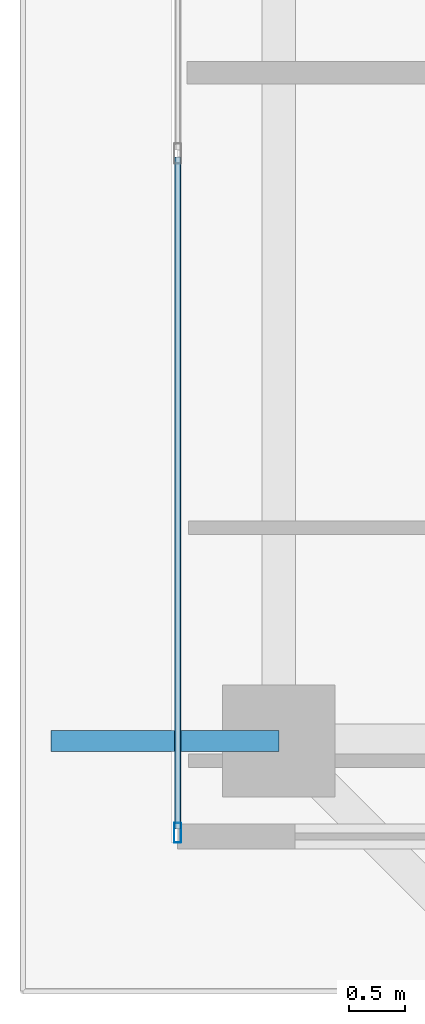
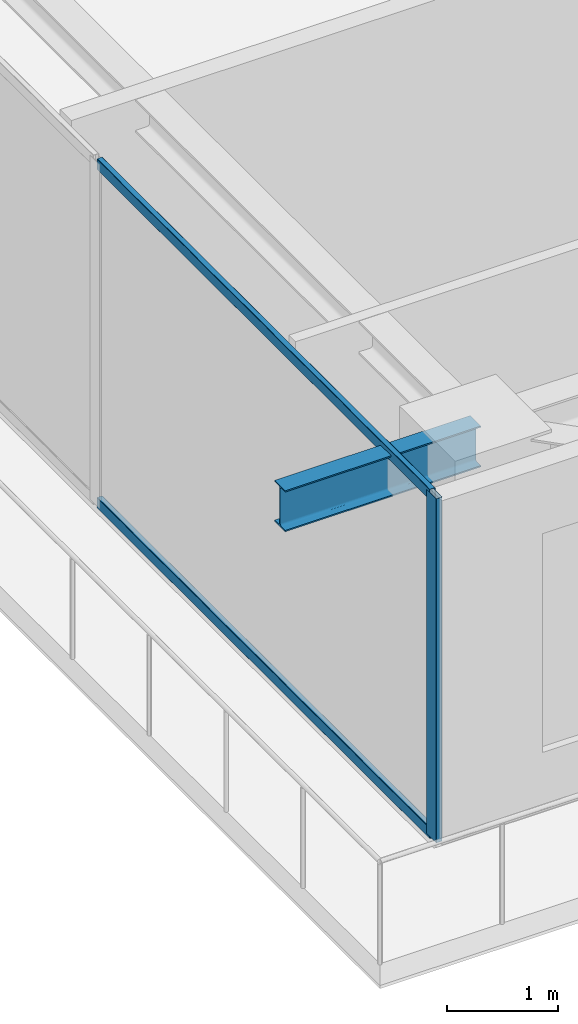
# One storey, part 4 of 42: 3 members, 1 beam, 1 element without a shape of its own.
"""IFC4 building model written with IfcOpenShell, lengths in metres."""

from ifc_helpers import new_model, si_unit, direction, frame, origin, origin_2d, place, context, subcontext, project, spatial, hollow_rectangle, i_section, extrude, source, transform, mapped, material, layer, layer_set, material_profile, profile_set, type_object, element, aggregate, save


model = new_model("IFC4")

# Units and contexts
model_context = context("Model", 3, precision=1e-05, world=origin(), true_north=direction((0.0, 1.0)))
body_context = subcontext(model_context, "Body", "Model", "MODEL_VIEW")
ifc_project = project(units=[si_unit("LENGTHUNIT", "METRE"), si_unit("AREAUNIT", "SQUARE_METRE"), si_unit("VOLUMEUNIT", "CUBIC_METRE"), si_unit("PLANEANGLEUNIT", "RADIAN"), si_unit("MASSUNIT", "GRAM", prefix="KILO")], contexts=[model_context])

# Site, building, storey
site_placement = place(None, origin())
site = spatial("IfcSite", under=ifc_project, at=site_placement, CompositionType="ELEMENT")
building_placement = place(site_placement, origin())
building = spatial("IfcBuilding", under=site, at=building_placement, Name="Serunith Strait Residences", CompositionType="ELEMENT")
storey_placement = place(building_placement, frame((0.0, 0.0, 325.85009765625)))
storey = spatial("IfcBuildingStorey", under=building, at=storey_placement, Name="L81", CompositionType="ELEMENT", Elevation=325.85009765625)

# Beam
ifc_material_1 = material(Name="Steel S355J2", Category="steel")
ifc_material_profile_1 = material_profile(ifc_material_1, i_section(OverallWidth=0.18994140625, OverallDepth=0.449951171875, WebThickness=0.009521484375, FlangeThickness=0.0146484375, FilletRadius=0.02099609375, at=origin_2d()), Name="IPE 450")
ifc_profile_set_1 = profile_set([ifc_material_profile_1], Name="Steel S355J2")
beam_type = type_object("IfcBeamType", Name="BM-IPE450", PredefinedType="JOIST", material=ifc_profile_set_1)
shared_shape_1 = source(origin(), body_context, "Body", "SweptSolid", [
    extrude(i_section(OverallWidth=0.18994140625, OverallDepth=0.449951171875, WebThickness=0.009521484375, FlangeThickness=0.0146484375, FilletRadius=0.02099609375, at=origin_2d()), origin(), (0.0, 0.0, 1.0), 2.030029296875),
])
beam_placement = place(storey_placement, frame((10.10009765625, 10.85009765625, 3.531982421875), z_axis=(-1.0, 0.0, 0.0), x_axis=(0.0, -1.0, 0.0)))
element("IfcBeam", 1, at=beam_placement, inside=storey, type_object=beam_type, Name="L82 Cantilevered Balcony Rib TC-W1", PredefinedType="JOIST", context=body_context, shape_type="MappedRepresentation", body=[
    mapped(shared_shape_1, transform((0.0, 0.0, 0.0), scale=1.0)),
])

# Curtain wall, members
ifc_material_2 = material(Name="Brushed Stainless-Silver Aluminium", Category="aluminium")
ifc_layer = layer(ifc_material_2, 0.199951171875, Name="Brushed Stainless-Silver Aluminium")
ifc_layer_set = layer_set([ifc_layer], Name="Brushed Stainless-Silver Aluminium")
curtain_wall_type = type_object("IfcCurtainWallType", Name="CW-SYS5", PredefinedType="NOTDEFINED", material=ifc_layer_set)
curtain_wall_placement = place(storey_placement, origin())
curtain_wall = element("IfcCurtainWall", 2, at=curtain_wall_placement, inside=storey, type_object=curtain_wall_type, Name="L81 W Unitised Fritted Curtain Wall", PredefinedType="NOTDEFINED")
ifc_material_profile_2 = material_profile(ifc_material_2, hollow_rectangle(XDim=0.06005859375, YDim=0.1201171875, WallThickness=0.00341796875, InnerFilletRadius=0.00537109375, OuterFilletRadius=0.0087890625, at=origin_2d()), Name="ALU 120x60x3.5")
ifc_profile_set_2 = profile_set([ifc_material_profile_2], Name="Brushed Stainless-Silver Aluminium")
member_type_1 = type_object("IfcMemberType", Name="CW-SYS5-TRAN", PredefinedType="USERDEFINED", material=ifc_profile_set_2)
shared_shape_2 = source(origin(), body_context, "Body", "SweptSolid", [
    extrude(hollow_rectangle(XDim=0.06005859375, YDim=0.1201171875, WallThickness=0.00341796875, InnerFilletRadius=0.00537109375, OuterFilletRadius=0.0087890625, at=origin_2d()), origin(), (0.0, 0.0, 1.0), 5.982666015625),
])
member_1_placement = place(storey_placement, frame((9.199951171875, 16.047607421875, 0.02978515625), z_axis=(0.0, -1.0, 0.0), x_axis=(1.0, 0.0, 0.0)))
member_1 = element("IfcMember", 3, at=member_1_placement, type_object=member_type_1, Name="CW-5 transom 5.1", ObjectType="TRANSOM", PredefinedType="USERDEFINED", context=body_context, shape_type="MappedRepresentation", body=[
    mapped(shared_shape_2, transform((0.0, 0.0, 0.0), scale=1.0)),
])
member_2_placement = place(storey_placement, frame((9.199951171875, 16.047607421875, 3.744873046875), z_axis=(0.0, -1.0, 0.0), x_axis=(1.0, 0.0, 0.0)))
member_2 = element("IfcMember", 4, at=member_2_placement, type_object=member_type_1, Name="CW-5 transom 5.2", ObjectType="TRANSOM", PredefinedType="USERDEFINED", context=body_context, shape_type="MappedRepresentation", body=[
    mapped(shared_shape_2, transform((0.0, 0.0, 0.0), scale=1.0)),
])
ifc_material_profile_3 = material_profile(ifc_material_2, hollow_rectangle(XDim=0.06494140625, YDim=0.179931640625, WallThickness=0.00341796875, InnerFilletRadius=0.00537109375, OuterFilletRadius=0.0087890625, at=origin_2d()), Name="ALU 180x65x3.5")
ifc_profile_set_3 = profile_set([ifc_material_profile_3], Name="Brushed Stainless-Silver Aluminium")
member_type_2 = type_object("IfcMemberType", Name="CW-SYS5-MULL", PredefinedType="MULLION", material=ifc_profile_set_3)
shared_shape_3 = source(origin(), body_context, "Body", "SweptSolid", [
    extrude(hollow_rectangle(XDim=0.06494140625, YDim=0.179931640625, WallThickness=0.00341796875, InnerFilletRadius=0.00537109375, OuterFilletRadius=0.0087890625, at=origin_2d()), origin(), (0.0, 0.0, 1.0), 3.77490234375),
])
member_3_placement = place(storey_placement, frame((9.199951171875, 10.032470703125, 0.0), z_axis=(0.0, 0.0, 1.0), x_axis=(1.0, 0.0, 0.0)))
member_3 = element("IfcMember", 5, at=member_3_placement, type_object=member_type_2, Name="CW-5 mullion 6", PredefinedType="MULLION", context=body_context, shape_type="MappedRepresentation", body=[
    mapped(shared_shape_3, transform((0.0, 0.0, 0.0), scale=1.0)),
])
aggregate(curtain_wall, [member_3, member_1, member_2])

save(model, "model.ifc")
